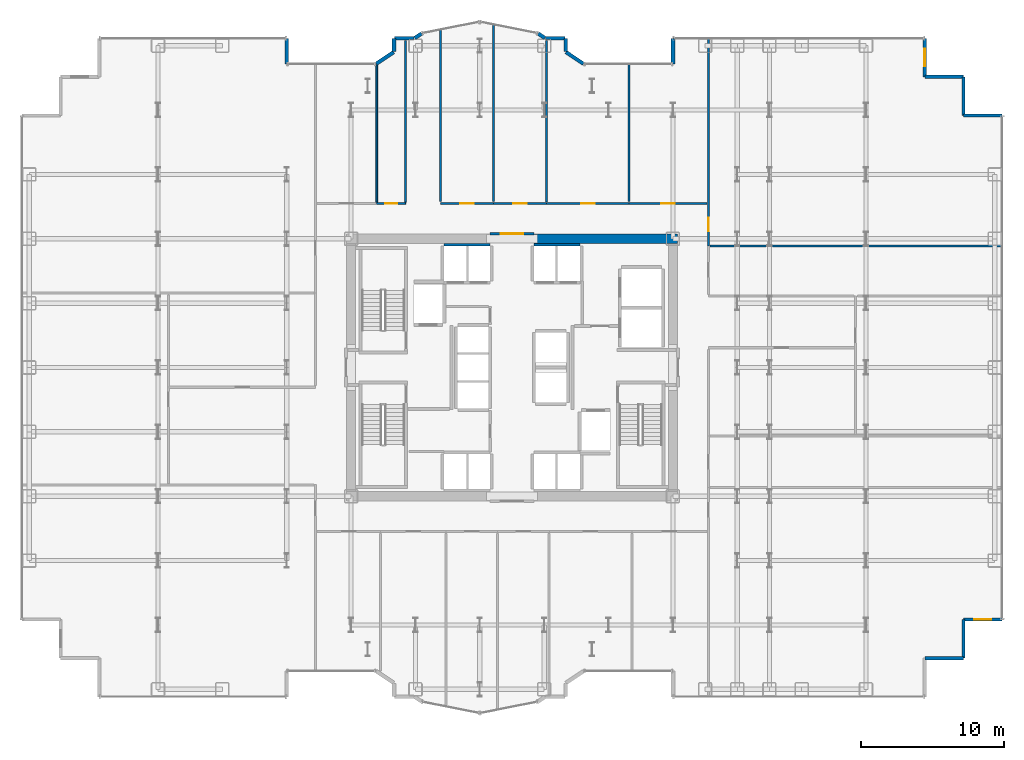
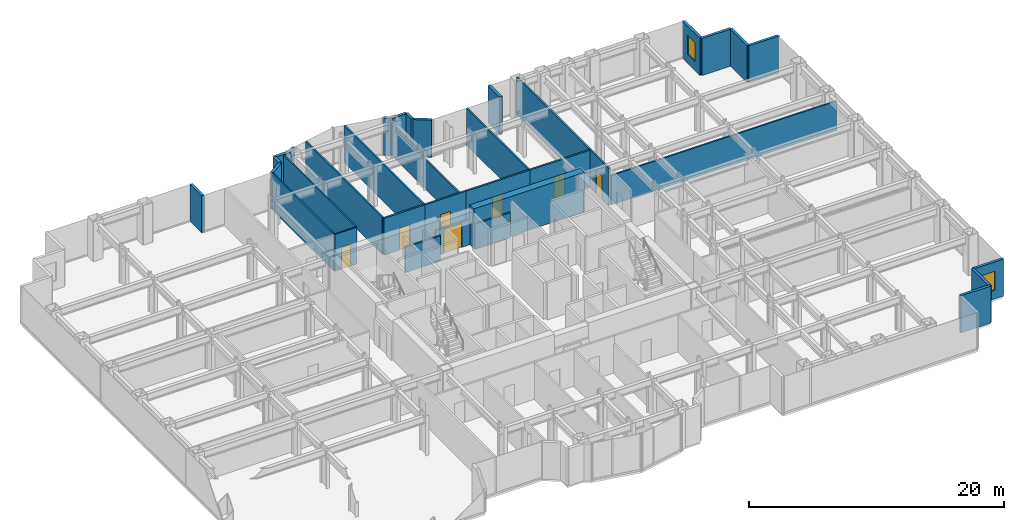
# One storey, part 24 of 26: 34 walls, 7 doors, 2 windows, 9 openings.
"""IFC4 building model written with IfcOpenShell, lengths in metres."""

from ifc_helpers import new_model, si_unit, direction, frame, frame_2d, origin, place, context, subcontext, project, spatial, rectangle, extrude, source, transform, mapped, material, layer, layer_set, type_object, element, fill, save


model = new_model("IFC4")

# Units and contexts
model_context = context("Model", 3, precision=1e-05, world=origin(), true_north=direction((0.0, 1.0)))
body_context = subcontext(model_context, "Body", "Model", "MODEL_VIEW")
ifc_project = project(units=[si_unit("LENGTHUNIT", "METRE"), si_unit("AREAUNIT", "SQUARE_METRE"), si_unit("VOLUMEUNIT", "CUBIC_METRE"), si_unit("PLANEANGLEUNIT", "RADIAN"), si_unit("MASSUNIT", "GRAM", prefix="KILO")], contexts=[model_context])

# Site, building, storey
site_placement = place(None, origin())
site = spatial("IfcSite", under=ifc_project, at=site_placement, CompositionType="ELEMENT")
building_placement = place(site_placement, origin())
building = spatial("IfcBuilding", under=site, at=building_placement, Name="Nefas-Gora Pilgrimage Tower", CompositionType="ELEMENT")
storey_placement = place(building_placement, frame((0.0, 0.0, 36.800048828125)))
storey = spatial("IfcBuildingStorey", under=building, at=storey_placement, Name="L07", CompositionType="ELEMENT", Elevation=36.800048828125)

# Walls
ifc_material_1 = material(Name="Concrete C60/75", Category="concrete")
ifc_layer_1 = layer(ifc_material_1, 0.64990234375)
ifc_layer_set_1 = layer_set([ifc_layer_1], Name="Concrete C60/75")
wall_type_1 = type_object("IfcWallType", Name="SW-CORE-650", PredefinedType="SHEAR", material=ifc_layer_set_1)
shared_shape_1 = source(origin(), body_context, "Body", "SweptSolid", [
    extrude(rectangle(XDim=10.02490234375, YDim=0.64990234375, at=frame_2d((5.012451171875, 0.0))), origin(), (0.0, 0.0, 1.0), 3.800048828125),
])
wall_1_placement = place(storey_placement, frame((1.550048828125, 9.0, 0.0), z_axis=(0.0, 0.0, 1.0), x_axis=(1.0, 0.0, 0.0)))
element("IfcWall", 1, at=wall_1_placement, inside=storey, type_object=wall_type_1, Name="L07 Core Shear Wall N-East", PredefinedType="SHEAR", context=body_context, shape_type="MappedRepresentation", body=[
    mapped(shared_shape_1, transform((0.0, 0.0, 0.0), x_axis=(1.0, 0.0, 0.0), y_axis=(0.0, 1.0, 0.0), z_axis=(0.0, 0.0, 1.0), scale=1.0)),
])
ifc_material_2 = material(Name="Precast concrete C40/50", Category="concrete")
ifc_layer_2 = layer(ifc_material_2, 0.260009765625)
ifc_layer_set_2 = layer_set([ifc_layer_2], Name="Precast concrete C40/50")
wall_type_2 = type_object("IfcWallType", Name="EW-PORTAL-260", PredefinedType="SOLIDWALL", material=ifc_layer_set_2)
shared_shape_2 = source(origin(), body_context, "Body", "SweptSolid", [
    extrude(rectangle(XDim=1.800048828125, YDim=0.260009765625, at=frame_2d((0.89990234375, 0.0))), origin(), (0.0, 0.0, 1.0), 3.550048828125),
])
for number, where, z_axis, x_axis, name in (
    (2, (11.25, 23.02001953125, 0.0), (0.0, 0.0, 1.0), (0.0, -1.0, 0.0), "L07 Lobe Shoulder Precast Spandrel Pier 10"),
    (3, (-15.75, 21.219970703125, 0.0), (0.0, 0.0, 1.0), (0.0, 1.0, 0.0), "L07 Lobe Shoulder Precast Spandrel Pier 19"),
):
    element("IfcWall", number, at=place(storey_placement, frame(where, z_axis=z_axis, x_axis=x_axis)), inside=storey, type_object=wall_type_2, Name=name, PredefinedType="SOLIDWALL", context=body_context, shape_type="MappedRepresentation", body=[
        mapped(shared_shape_2, transform((0.0, 0.0, 0.0), x_axis=(1.0, 0.0, 0.0), y_axis=(0.0, 1.0, 0.0), z_axis=(0.0, 0.0, 1.0), scale=1.0)),
    ])
ifc_material_3 = material(Name="Precast concrete C45/55", Category="concrete")
ifc_layer_3 = layer(ifc_material_3, 0.239990234375)
ifc_layer_set_3 = layer_set([ifc_layer_3], Name="Precast concrete C45/55")
wall_type_3 = type_object("IfcWallType", Name="EW-SERR-240", PredefinedType="SHEAR", material=ifc_layer_set_3)
shared_shape_3 = source(origin(), body_context, "Body", "SweptSolid", [
    extrude(rectangle(XDim=2.699951171875, YDim=0.239990234375, at=frame_2d((1.35009765625, 0.0))), origin(), (0.0, 0.0, 1.0), 3.550048828125),
])
for number, where, z_axis, x_axis, name in (
    (4, (28.8701171875, -20.320068359375, 0.0), (0.0, 0.0, 1.0), (1.0, 0.0, 0.0), "L07 Serrated Corner Shear Pier Wall 3"),
    (5, (31.570068359375, -20.320068359375, 0.0), (0.0, 0.0, 1.0), (0.0, 1.0, 0.0), "L07 Serrated Corner Shear Pier Wall 4"),
):
    element("IfcWall", number, at=place(storey_placement, frame(where, z_axis=z_axis, x_axis=x_axis)), inside=storey, type_object=wall_type_3, Name=name, PredefinedType="SHEAR", context=body_context, shape_type="MappedRepresentation", body=[
        mapped(shared_shape_3, transform((0.0, 0.0, 0.0), x_axis=(1.0, 0.0, 0.0), y_axis=(0.0, 1.0, 0.0), z_axis=(0.0, 0.0, 1.0), scale=1.0)),
    ])

# Wall, opening, window
wall_2_placement = place(storey_placement, frame((31.570068359375, -17.6201171875, 0.0), z_axis=(0.0, 0.0, 1.0), x_axis=(1.0, 0.0, 0.0)))
wall_2 = element("IfcWall", 6, at=wall_2_placement, inside=storey, type_object=wall_type_3, Name="L07 Serrated Corner Shear Pier Wall 5", PredefinedType="SHEAR", context=body_context, shape_type="MappedRepresentation", body=[
    mapped(shared_shape_3, transform((0.0, 0.0, 0.0), x_axis=(1.0, 0.0, 0.0), y_axis=(0.0, 1.0, 0.0), z_axis=(0.0, 0.0, 1.0), scale=1.0)),
])
opening_1_placement = place(wall_2_placement, frame((0.75, 0.0, 0.85009765625)))
opening_1 = element("IfcOpeningElement", 7, at=opening_1_placement, cuts=wall_2, Name="Opening W-V1", PredefinedType="OPENING", context=body_context, shape_type="SweptSolid", body=[
    extrude(rectangle(XDim=1.199951171875, YDim=1.800048828125, at=frame_2d((0.60009765625, 0.89990234375))), frame((0.0, 0.1298828125, 0.0), z_axis=(0.0, -1.0, 0.0), x_axis=(1.0, 0.0, 0.0)), (0.0, 0.0, 1.0), 0.260009765625),
])
ifc_material_4 = material(Name="Dark ceramic-fritted operable aluminium-glass window", Category="aluminium")
window_type = type_object("IfcWindowType", Name="WIN-VENT-1200x1800", PartitioningType="SINGLE_PANEL", PredefinedType="WINDOW", material=ifc_material_4)
shared_shape_4 = source(origin(), body_context, "Body", "SweptSolid", [
    extrude(rectangle(XDim=1.199951171875, YDim=1.800048828125, at=frame_2d((0.60009765625, 0.89990234375))), frame((0.0, 0.030029296875, 0.0), z_axis=(0.0, -1.0, 0.0), x_axis=(1.0, 0.0, 0.0)), (0.0, 0.0, 1.0), 0.06005859375),
])
window_1_placement = place(opening_1_placement, origin())
window_1 = element("IfcWindow", 8, at=window_1_placement, inside=storey, type_object=window_type, Name="L07 Operable Parallel-Outswing Window 5", OverallHeight=1.800048828125, OverallWidth=1.199951171875, PartitioningType="SINGLE_PANEL", PredefinedType="WINDOW", context=body_context, shape_type="MappedRepresentation", body=[
    mapped(shared_shape_4, transform((0.0, 0.0, 0.0), x_axis=(1.0, 0.0, 0.0), y_axis=(0.0, 1.0, 0.0), z_axis=(0.0, 0.0, 1.0), scale=1.0)),
])
fill(opening_1, window_1)

# Walls
for number, where, z_axis, x_axis, name in (
    (9, (34.27001953125, 17.6201171875, 0.0), (0.0, 0.0, 1.0), (-1.0, 0.0, 0.0), "L07 Serrated Corner Shear Pier Wall 6"),
    (10, (31.570068359375, 17.6201171875, 0.0), (0.0, 0.0, 1.0), (0.0, 1.0, 0.0), "L07 Serrated Corner Shear Pier Wall 7"),
    (11, (31.570068359375, 20.320068359375, 0.0), (0.0, 0.0, 1.0), (-1.0, 0.0, 0.0), "L07 Serrated Corner Shear Pier Wall 8"),
):
    element("IfcWall", number, at=place(storey_placement, frame(where, z_axis=z_axis, x_axis=x_axis)), inside=storey, type_object=wall_type_3, Name=name, PredefinedType="SHEAR", context=body_context, shape_type="MappedRepresentation", body=[
        mapped(shared_shape_3, transform((0.0, 0.0, 0.0), x_axis=(1.0, 0.0, 0.0), y_axis=(0.0, 1.0, 0.0), z_axis=(0.0, 0.0, 1.0), scale=1.0)),
    ])

# Wall, opening, window
wall_3_placement = place(storey_placement, frame((28.8701171875, 20.320068359375, 0.0), z_axis=(0.0, 0.0, 1.0), x_axis=(0.0, 1.0, 0.0)))
wall_3 = element("IfcWall", 12, at=wall_3_placement, inside=storey, type_object=wall_type_3, Name="L07 Serrated Corner Shear Pier Wall 9", PredefinedType="SHEAR", context=body_context, shape_type="MappedRepresentation", body=[
    mapped(shared_shape_3, transform((0.0, 0.0, 0.0), x_axis=(1.0, 0.0, 0.0), y_axis=(0.0, 1.0, 0.0), z_axis=(0.0, 0.0, 1.0), scale=1.0)),
])
opening_2_placement = place(wall_3_placement, frame((0.75, 0.0, 0.85009765625)))
opening_2 = element("IfcOpeningElement", 13, at=opening_2_placement, cuts=wall_3, Name="Opening W-V1", PredefinedType="OPENING", context=body_context, shape_type="SweptSolid", body=[
    extrude(rectangle(XDim=1.199951171875, YDim=1.800048828125, at=frame_2d((0.60009765625, 0.89990234375))), frame((0.0, 0.1298828125, 0.0), z_axis=(0.0, -1.0, 0.0), x_axis=(1.0, 0.0, 0.0)), (0.0, 0.0, 1.0), 0.260009765625),
])
window_2_placement = place(opening_2_placement, origin())
window_2 = element("IfcWindow", 14, at=window_2_placement, inside=storey, type_object=window_type, Name="L07 Operable Parallel-Outswing Window 9", OverallHeight=1.800048828125, OverallWidth=1.199951171875, PartitioningType="SINGLE_PANEL", PredefinedType="WINDOW", context=body_context, shape_type="MappedRepresentation", body=[
    mapped(shared_shape_4, transform((0.0, 0.0, 0.0), x_axis=(1.0, 0.0, 0.0), y_axis=(0.0, 1.0, 0.0), z_axis=(0.0, 0.0, 1.0), scale=1.0)),
])
fill(opening_2, window_2)

# Walls
shared_shape_5 = source(origin(), body_context, "Body", "SweptSolid", [
    extrude(rectangle(XDim=1.468994140625, YDim=0.260009765625, at=frame_2d((0.734375, 0.0))), origin(), (0.0, 0.0, 1.0), 3.550048828125),
])
for number, where, z_axis, x_axis, name in (
    (15, (4.99462890625, 21.235595703125, 0.0), (0.0, 0.0, 1.0), (-0.831461760506, 0.555581983884, 0.0), "L07 Lobe Shoulder Precast Spandrel Pier 11"),
    (16, (-8.273193359375, 22.0517578125, 0.0), (0.0, 0.0, 1.0), (-0.831461760506, -0.555581983884, 0.0), "L07 Lobe Shoulder Precast Spandrel Pier 18"),
):
    element("IfcWall", number, at=place(storey_placement, frame(where, z_axis=z_axis, x_axis=x_axis)), inside=storey, type_object=wall_type_2, Name=name, PredefinedType="SOLIDWALL", context=body_context, shape_type="MappedRepresentation", body=[
        mapped(shared_shape_5, transform((0.0, 0.0, 0.0), x_axis=(1.0, 0.0, 0.0), y_axis=(0.0, 1.0, 0.0), z_axis=(0.0, 0.0, 1.0), scale=1.0)),
    ])
shared_shape_6 = source(origin(), body_context, "Body", "SweptSolid", [
    extrude(rectangle(XDim=0.896728515625, YDim=0.260009765625, at=frame_2d((0.4482421875, 0.0))), origin(), (0.0, 0.0, 1.0), 3.550048828125),
])
for number, where, z_axis, x_axis, name in (
    (17, (3.75, 22.09521484375, 0.0), (0.0, 0.0, 1.0), (0.0, 1.0, 0.0), "L07 Lobe Shoulder Precast Spandrel Pier 12"),
    (18, (-8.25, 22.991943359375, 0.0), (0.0, 0.0, 1.0), (0.0, -1.0, 0.0), "L07 Lobe Shoulder Precast Spandrel Pier 17"),
):
    element("IfcWall", number, at=place(storey_placement, frame(where, z_axis=z_axis, x_axis=x_axis)), inside=storey, type_object=wall_type_2, Name=name, PredefinedType="SOLIDWALL", context=body_context, shape_type="MappedRepresentation", body=[
        mapped(shared_shape_6, transform((0.0, 0.0, 0.0), x_axis=(1.0, 0.0, 0.0), y_axis=(0.0, 1.0, 0.0), z_axis=(0.0, 0.0, 1.0), scale=1.0)),
    ])
shared_shape_7 = source(origin(), body_context, "Body", "SweptSolid", [
    extrude(rectangle(XDim=1.369873046875, YDim=0.260009765625, at=frame_2d((0.68505859375, 0.0))), origin(), (0.0, 0.0, 1.0), 3.550048828125),
])
for number, where, z_axis, x_axis, name in (
    (19, (3.721923828125, 23.02001953125, 0.0), (0.0, 0.0, 1.0), (-1.0, 0.0, 0.0), "L07 Lobe Shoulder Precast Spandrel Pier 13"),
    (20, (-6.85205078125, 23.02001953125, 0.0), (0.0, 0.0, 1.0), (-1.0, 0.0, 0.0), "L07 Lobe Shoulder Precast Spandrel Pier 16"),
):
    element("IfcWall", number, at=place(storey_placement, frame(where, z_axis=z_axis, x_axis=x_axis)), inside=storey, type_object=wall_type_2, Name=name, PredefinedType="SOLIDWALL", context=body_context, shape_type="MappedRepresentation", body=[
        mapped(shared_shape_7, transform((0.0, 0.0, 0.0), x_axis=(1.0, 0.0, 0.0), y_axis=(0.0, 1.0, 0.0), z_axis=(0.0, 0.0, 1.0), scale=1.0)),
    ])
shared_shape_8 = source(origin(), body_context, "Body", "SweptSolid", [
    extrude(rectangle(XDim=0.5654296875, YDim=0.260009765625, at=frame_2d((0.28271484375, 0.0))), origin(), (0.0, 0.0, 1.0), 3.550048828125),
])
for number, where, z_axis, x_axis, name in (
    (21, (2.30078125, 23.03564453125, 0.0), (0.0, 0.0, 1.0), (-0.831651492666, 0.555297933317, 0.0), "L07 Lobe Shoulder Precast Spandrel Pier 14"),
    (22, (-6.33056640625, 23.349609375, 0.0), (0.0, 0.0, 1.0), (-0.831651492666, -0.555297933317, 0.0), "L07 Lobe Shoulder Precast Spandrel Pier 15"),
):
    element("IfcWall", number, at=place(storey_placement, frame(where, z_axis=z_axis, x_axis=x_axis)), inside=storey, type_object=wall_type_2, Name=name, PredefinedType="SOLIDWALL", context=body_context, shape_type="MappedRepresentation", body=[
        mapped(shared_shape_8, transform((0.0, 0.0, 0.0), x_axis=(1.0, 0.0, 0.0), y_axis=(0.0, 1.0, 0.0), z_axis=(0.0, 0.0, 1.0), scale=1.0)),
    ])
ifc_material_5 = material(Name="Gypsum acoustic stud partition")
ifc_layer_4 = layer(ifc_material_5, 0.159912109375)
ifc_layer_set_4 = layer_set([ifc_layer_4], Name="Gypsum acoustic stud partition")
wall_type_4 = type_object("IfcWallType", Name="IW-CORR-160", PredefinedType="PARTITIONING", material=ifc_layer_set_4)
shared_shape_9 = source(origin(), body_context, "Body", "SweptSolid", [
    extrude(rectangle(XDim=3.199951171875, YDim=0.159912109375, at=frame_2d((1.60009765625, 0.0))), origin(), (0.0, 0.0, 1.0), 2.425048828125),
])
for number, where, z_axis, x_axis, name in (
    (23, (-1.550048828125, 8.580078125, 0.0), (0.0, 0.0, 1.0), (-1.0, 0.0, 0.0), "L07 Hoistway Wall PL1-W-N"),
    (24, (4.75, 8.580078125, 0.0), (0.0, 0.0, 1.0), (-1.0, 0.0, 0.0), "L07 Hoistway Wall PL1-E-N"),
):
    element("IfcWall", number, at=place(storey_placement, frame(where, z_axis=z_axis, x_axis=x_axis)), inside=storey, type_object=wall_type_4, Name=name, PredefinedType="PARTITIONING", context=body_context, shape_type="MappedRepresentation", body=[
        mapped(shared_shape_9, transform((0.0, 0.0, 0.0), x_axis=(1.0, 0.0, 0.0), y_axis=(0.0, 1.0, 0.0), z_axis=(0.0, 0.0, 1.0), scale=1.0)),
    ])

# Wall, opening, door
shared_shape_10 = source(origin(), body_context, "Body", "SweptSolid", [
    extrude(rectangle(XDim=3.08984375, YDim=0.159912109375, at=frame_2d((1.544921875, 0.0))), origin(), (0.0, 0.0, 1.0), 2.425048828125),
])
wall_4_placement = place(storey_placement, frame((-1.544921875, 9.35009765625, 0.0), z_axis=(0.0, 0.0, 1.0), x_axis=(1.0, 0.0, 0.0)))
wall_4 = element("IfcWall", 25, at=wall_4_placement, inside=storey, type_object=wall_type_4, Name="L07 Central Lift Lobby North Portal Wall 13", PredefinedType="PARTITIONING", context=body_context, shape_type="MappedRepresentation", body=[
    mapped(shared_shape_10, transform((0.0, 0.0, 0.0), x_axis=(1.0, 0.0, 0.0), y_axis=(0.0, 1.0, 0.0), z_axis=(0.0, 0.0, 1.0), scale=1.0)),
])
opening_3_placement = place(wall_4_placement, frame((0.7451171875, 0.0, 0.0)))
opening_3 = element("IfcOpeningElement", 26, at=opening_3_placement, cuts=wall_4, Name="Opening ID-HL1", PredefinedType="OPENING", context=body_context, shape_type="SweptSolid", body=[
    extrude(rectangle(XDim=1.60009765625, YDim=2.300048828125, at=frame_2d((0.800048828125, 1.14990234375))), frame((0.0, 0.08984375, 0.0), z_axis=(0.0, -1.0, 0.0), x_axis=(1.0, 0.0, 0.0)), (0.0, 0.0, 1.0), 0.179931640625),
])
ifc_material_6 = material(Name="Double acoustic timber assembly hall door", Category="wood")
door_type_1 = type_object("IfcDoorType", Name="DR-INT-HALL-1600", OperationType="DOUBLE_DOOR_SINGLE_SWING", PredefinedType="DOOR", material=ifc_material_6)
shared_shape_11 = source(origin(), body_context, "Body", "SweptSolid", [
    extrude(rectangle(XDim=1.60009765625, YDim=2.300048828125, at=frame_2d((0.800048828125, 1.14990234375))), frame((0.0, 0.02490234375, 0.0), z_axis=(0.0, -1.0, 0.0), x_axis=(1.0, 0.0, 0.0)), (0.0, 0.0, 1.0), 0.050048828125),
])
door_1_placement = place(opening_3_placement, origin())
door_1 = element("IfcDoor", 27, at=door_1_placement, inside=storey, type_object=door_type_1, Name="L07 Central Lift Lobby North Portal Door 4", OperationType="DOUBLE_DOOR_SINGLE_SWING", OverallHeight=2.300048828125, OverallWidth=1.60009765625, PredefinedType="DOOR", context=body_context, shape_type="MappedRepresentation", body=[
    mapped(shared_shape_11, transform((0.0, 0.0, 0.0), x_axis=(1.0, 0.0, 0.0), y_axis=(0.0, 1.0, 0.0), z_axis=(0.0, 0.0, 1.0), scale=1.0)),
])
fill(opening_3, door_1)

ifc_material_7 = material(Name="Moisture-resistant fire-rated gypsum partition")
ifc_layer_5 = layer(ifc_material_7, 0.1201171875)
ifc_layer_set_5 = layer_set([ifc_layer_5], Name="Moisture-resistant fire-rated gypsum partition")
wall_type_5 = type_object("IfcWallType", Name="IW-WET-120", PredefinedType="PLUMBINGWALL", material=ifc_layer_set_5)
shared_shape_12 = source(origin(), body_context, "Body", "SweptSolid", [
    extrude(rectangle(XDim=2.02001953125, YDim=0.1201171875, at=frame_2d((1.010009765625, 0.0))), origin(), (0.0, 0.0, 1.0), 3.534912109375),
])
wall_5_placement = place(storey_placement, frame((-9.4599609375, 11.469970703125, 0.0), z_axis=(0.0, 0.0, 1.0), x_axis=(1.0, 0.0, 0.0)))
wall_5 = element("IfcWall", 28, at=wall_5_placement, inside=storey, type_object=wall_type_5, Name="L07 Accessible Unisex WC Partition Wall 20", PredefinedType="PLUMBINGWALL", context=body_context, shape_type="MappedRepresentation", body=[
    mapped(shared_shape_12, transform((0.0, 0.0, 0.0), x_axis=(1.0, 0.0, 0.0), y_axis=(0.0, 1.0, 0.0), z_axis=(0.0, 0.0, 1.0), scale=1.0)),
])
opening_4_placement = place(wall_5_placement, frame((0.5849609375, 0.0, 0.0)))
opening_4 = element("IfcOpeningElement", 29, at=opening_4_placement, cuts=wall_5, Name="Opening ID-BT1", PredefinedType="OPENING", context=body_context, shape_type="SweptSolid", body=[
    extrude(rectangle(XDim=0.85009765625, YDim=2.10009765625, at=frame_2d((0.425048828125, 1.050048828125))), frame((0.0, 0.070068359375, 0.0), z_axis=(0.0, -1.0, 0.0), x_axis=(1.0, 0.0, 0.0)), (0.0, 0.0, 1.0), 0.14013671875),
])
ifc_material_8 = material(Name="Moisture-resistant fire-rated timber door", Category="wood")
door_type_2 = type_object("IfcDoorType", Name="DR-INT-BATH-850", OperationType="NOTDEFINED", PredefinedType="DOOR", material=ifc_material_8)
shared_shape_13 = source(origin(), body_context, "Body", "SweptSolid", [
    extrude(rectangle(XDim=0.85009765625, YDim=2.10009765625, at=frame_2d((0.425048828125, 1.050048828125))), frame((0.0, 0.02490234375, 0.0), z_axis=(0.0, -1.0, 0.0), x_axis=(1.0, 0.0, 0.0)), (0.0, 0.0, 1.0), 0.050048828125),
])
door_2_placement = place(opening_4_placement, origin())
door_2 = element("IfcDoor", 30, at=door_2_placement, inside=storey, type_object=door_type_2, Name="L07 Accessible Unisex WC Door 8", OperationType="SINGLE_SWING_LEFT", OverallHeight=2.10009765625, OverallWidth=0.85009765625, PredefinedType="DOOR", context=body_context, shape_type="MappedRepresentation", body=[
    mapped(shared_shape_13, transform((0.0, 0.0, 0.0), x_axis=(1.0, 0.0, 0.0), y_axis=(0.0, 1.0, 0.0), z_axis=(0.0, 0.0, 1.0), scale=1.0)),
])
fill(opening_4, door_2)

# Walls
shared_shape_14 = source(origin(), body_context, "Body", "SweptSolid", [
    extrude(rectangle(XDim=11.280029296875, YDim=0.1201171875, at=frame_2d((5.64013671875, 0.0))), origin(), (0.0, 0.0, 1.0), 3.534912109375),
])
wall_6_placement = place(storey_placement, frame((-7.449951171875, 11.570068359375, 0.0), z_axis=(0.0, 0.0, 1.0), x_axis=(0.0, 1.0, 0.0)))
element("IfcWall", 31, at=wall_6_placement, inside=storey, type_object=wall_type_5, Name="L07 Accessible Unisex WC Partition Wall 21", PredefinedType="PLUMBINGWALL", context=body_context, shape_type="MappedRepresentation", body=[
    mapped(shared_shape_14, transform((0.0, 0.0, 0.0), x_axis=(1.0, 0.0, 0.0), y_axis=(0.0, 1.0, 0.0), z_axis=(0.0, 0.0, 1.0), scale=1.0)),
])
shared_shape_15 = source(origin(), body_context, "Body", "SweptSolid", [
    extrude(rectangle(XDim=9.586669921875, YDim=0.1201171875, at=frame_2d((4.79345703125, 0.0))), origin(), (0.0, 0.0, 1.0), 3.534912109375),
])
wall_7_placement = place(storey_placement, frame((-9.449951171875, 11.570068359375, 0.0), z_axis=(0.0, 0.0, 1.0), x_axis=(0.0, 1.0, 0.0)))
element("IfcWall", 32, at=wall_7_placement, inside=storey, type_object=wall_type_5, Name="L07 Accessible Unisex WC Partition Wall 22", PredefinedType="PLUMBINGWALL", context=body_context, shape_type="MappedRepresentation", body=[
    mapped(shared_shape_15, transform((0.0, 0.0, 0.0), x_axis=(1.0, 0.0, 0.0), y_axis=(0.0, 1.0, 0.0), z_axis=(0.0, 0.0, 1.0), scale=1.0)),
])

# Wall, opening, door
shared_shape_16 = source(origin(), body_context, "Body", "SweptSolid", [
    extrude(rectangle(XDim=14.544921875, YDim=0.159912109375, at=frame_2d((7.2724609375, 0.0))), origin(), (0.0, 0.0, 1.0), 3.534912109375),
])
wall_8_placement = place(storey_placement, frame((13.739990234375, 8.4951171875, 0.0), z_axis=(0.0, 0.0, 1.0), x_axis=(0.0, 1.0, 0.0)))
wall_8 = element("IfcWall", 33, at=wall_8_placement, inside=storey, type_object=wall_type_4, Name="L07 Pilgrim Contemplative Lounge Partition Wall 41", PredefinedType="PARTITIONING", context=body_context, shape_type="MappedRepresentation", body=[
    mapped(shared_shape_16, transform((0.0, 0.0, 0.0), x_axis=(1.0, 0.0, 0.0), y_axis=(0.0, 1.0, 0.0), z_axis=(0.0, 0.0, 1.0), scale=1.0)),
])
opening_5_placement = place(wall_8_placement, frame((1.032470703125, 0.0, 0.0)))
opening_5 = element("IfcOpeningElement", 34, at=opening_5_placement, cuts=wall_8, Name="Opening ID-GR1", PredefinedType="OPENING", context=body_context, shape_type="SweptSolid", body=[
    extrude(rectangle(XDim=0.949951171875, YDim=2.10009765625, at=frame_2d((0.47509765625, 1.050048828125))), frame((0.0, 0.08984375, 0.0), z_axis=(0.0, -1.0, 0.0), x_axis=(1.0, 0.0, 0.0)), (0.0, 0.0, 1.0), 0.179931640625),
])
ifc_material_9 = material(Name="Solid core oak fire-rated guest entrance door")
door_type_3 = type_object("IfcDoorType", Name="DR-INT-GUEST-950", OperationType="NOTDEFINED", PredefinedType="DOOR", material=ifc_material_9)
shared_shape_17 = source(origin(), body_context, "Body", "SweptSolid", [
    extrude(rectangle(XDim=0.949951171875, YDim=2.10009765625, at=frame_2d((0.47509765625, 1.050048828125))), frame((0.0, 0.02490234375, 0.0), z_axis=(0.0, -1.0, 0.0), x_axis=(1.0, 0.0, 0.0)), (0.0, 0.0, 1.0), 0.050048828125),
])
door_3_placement = place(opening_5_placement, origin())
door_3 = element("IfcDoor", 35, at=door_3_placement, inside=storey, type_object=door_type_3, Name="L07 Pilgrim Contemplative Lounge Door 18", OperationType="SINGLE_SWING_LEFT", OverallHeight=2.10009765625, OverallWidth=0.949951171875, PredefinedType="DOOR", context=body_context, shape_type="MappedRepresentation", body=[
    mapped(shared_shape_17, transform((0.0, 0.0, 0.0), x_axis=(1.0, 0.0, 0.0), y_axis=(0.0, 1.0, 0.0), z_axis=(0.0, 0.0, 1.0), scale=1.0)),
])
fill(opening_5, door_3)

shared_shape_18 = source(origin(), body_context, "Body", "SweptSolid", [
    extrude(rectangle(XDim=3.704833984375, YDim=0.159912109375, at=frame_2d((1.8525390625, 0.0))), origin(), (0.0, 0.0, 1.0), 3.534912109375),
])
wall_9_placement = place(storey_placement, frame((-5.0048828125, 11.469970703125, 0.0), z_axis=(0.0, 0.0, 1.0), x_axis=(1.0, 0.0, 0.0)))
wall_9 = element("IfcWall", 36, at=wall_9_placement, inside=storey, type_object=wall_type_4, Name="L07 Pilgrim Contemplative Lounge Partition Wall 43", PredefinedType="PARTITIONING", context=body_context, shape_type="MappedRepresentation", body=[
    mapped(shared_shape_18, transform((0.0, 0.0, 0.0), x_axis=(1.0, 0.0, 0.0), y_axis=(0.0, 1.0, 0.0), z_axis=(0.0, 0.0, 1.0), scale=1.0)),
])
opening_6_placement = place(wall_9_placement, frame((1.37744140625, 0.0, 0.0)))
opening_6 = element("IfcOpeningElement", 37, at=opening_6_placement, cuts=wall_9, Name="Opening ID-GR1", PredefinedType="OPENING", context=body_context, shape_type="SweptSolid", body=[
    extrude(rectangle(XDim=0.949951171875, YDim=2.10009765625, at=frame_2d((0.47509765625, 1.050048828125))), frame((0.0, 0.08984375, 0.0), z_axis=(0.0, -1.0, 0.0), x_axis=(1.0, 0.0, 0.0)), (0.0, 0.0, 1.0), 0.179931640625),
])
door_4_placement = place(opening_6_placement, origin())
door_4 = element("IfcDoor", 38, at=door_4_placement, inside=storey, type_object=door_type_3, Name="L07 Pilgrim Contemplative Lounge Door 20", OperationType="SINGLE_SWING_LEFT", OverallHeight=2.10009765625, OverallWidth=0.949951171875, PredefinedType="DOOR", context=body_context, shape_type="MappedRepresentation", body=[
    mapped(shared_shape_17, transform((0.0, 0.0, 0.0), x_axis=(1.0, 0.0, 0.0), y_axis=(0.0, 1.0, 0.0), z_axis=(0.0, 0.0, 1.0), scale=1.0)),
])
fill(opening_6, door_4)

# Walls
ifc_material_10 = material(Name="Gypsum twin-stud partition")
ifc_layer_6 = layer(ifc_material_10, 0.139892578125)
ifc_layer_set_6 = layer_set([ifc_layer_6], Name="Gypsum twin-stud partition")
wall_type_6 = type_object("IfcWallType", Name="IW-UNIT-140", PredefinedType="PARTITIONING", material=ifc_layer_set_6)
shared_shape_19 = source(origin(), body_context, "Body", "SweptSolid", [
    extrude(rectangle(XDim=12.415771484375, YDim=0.139892578125, at=frame_2d((6.2080078125, 0.0))), origin(), (0.0, 0.0, 1.0), 3.534912109375),
])
wall_10_placement = place(storey_placement, frame((-1.31005859375, 11.590087890625, 0.0), z_axis=(0.0, 0.0, 1.0), x_axis=(0.0, 1.0, 0.0)))
element("IfcWall", 39, at=wall_10_placement, inside=storey, type_object=wall_type_6, Name="L07 Pilgrim Contemplative Lounge Partition Wall 44", PredefinedType="PARTITIONING", context=body_context, shape_type="MappedRepresentation", body=[
    mapped(shared_shape_19, transform((0.0, 0.0, 0.0), x_axis=(1.0, 0.0, 0.0), y_axis=(0.0, 1.0, 0.0), z_axis=(0.0, 0.0, 1.0), scale=1.0)),
])
shared_shape_20 = source(origin(), body_context, "Body", "SweptSolid", [
    extrude(rectangle(XDim=12.056640625, YDim=0.139892578125, at=frame_2d((6.0283203125, 0.0))), origin(), (0.0, 0.0, 1.0), 3.534912109375),
])
wall_11_placement = place(storey_placement, frame((-4.9951171875, 11.590087890625, 0.0), z_axis=(0.0, 0.0, 1.0), x_axis=(0.0, 1.0, 0.0)))
element("IfcWall", 40, at=wall_11_placement, inside=storey, type_object=wall_type_6, Name="L07 Pilgrim Contemplative Lounge Partition Wall 45", PredefinedType="PARTITIONING", context=body_context, shape_type="MappedRepresentation", body=[
    mapped(shared_shape_20, transform((0.0, 0.0, 0.0), x_axis=(1.0, 0.0, 0.0), y_axis=(0.0, 1.0, 0.0), z_axis=(0.0, 0.0, 1.0), scale=1.0)),
])

# Wall, opening, door
shared_shape_21 = source(origin(), body_context, "Body", "SweptSolid", [
    extrude(rectangle(XDim=3.705078125, YDim=0.159912109375, at=frame_2d((1.8525390625, 0.0))), origin(), (0.0, 0.0, 1.0), 3.534912109375),
])
wall_12_placement = place(storey_placement, frame((-1.300048828125, 11.469970703125, 0.0), z_axis=(0.0, 0.0, 1.0), x_axis=(1.0, 0.0, 0.0)))
wall_12 = element("IfcWall", 41, at=wall_12_placement, inside=storey, type_object=wall_type_4, Name="L07 Pilgrim Contemplative Lounge Partition Wall 46", PredefinedType="PARTITIONING", context=body_context, shape_type="MappedRepresentation", body=[
    mapped(shared_shape_21, transform((0.0, 0.0, 0.0), x_axis=(1.0, 0.0, 0.0), y_axis=(0.0, 1.0, 0.0), z_axis=(0.0, 0.0, 1.0), scale=1.0)),
])
opening_7_placement = place(wall_12_placement, frame((1.37744140625, 0.0, 0.0)))
opening_7 = element("IfcOpeningElement", 42, at=opening_7_placement, cuts=wall_12, Name="Opening ID-GR1", PredefinedType="OPENING", context=body_context, shape_type="SweptSolid", body=[
    extrude(rectangle(XDim=0.949951171875, YDim=2.10009765625, at=frame_2d((0.47509765625, 1.050048828125))), frame((0.0, 0.08984375, 0.0), z_axis=(0.0, -1.0, 0.0), x_axis=(1.0, 0.0, 0.0)), (0.0, 0.0, 1.0), 0.179931640625),
])
door_5_placement = place(opening_7_placement, origin())
door_5 = element("IfcDoor", 43, at=door_5_placement, inside=storey, type_object=door_type_3, Name="L07 Pilgrim Contemplative Lounge Door 21", OperationType="SINGLE_SWING_RIGHT", OverallHeight=2.10009765625, OverallWidth=0.949951171875, PredefinedType="DOOR", context=body_context, shape_type="MappedRepresentation", body=[
    mapped(shared_shape_17, transform((0.0, 0.0, 0.0), x_axis=(1.0, 0.0, 0.0), y_axis=(0.0, 1.0, 0.0), z_axis=(0.0, 0.0, 1.0), scale=1.0)),
])
fill(opening_7, door_5)

# Wall
shared_shape_22 = source(origin(), body_context, "Body", "SweptSolid", [
    extrude(rectangle(XDim=11.260009765625, YDim=0.139892578125, at=frame_2d((5.6298828125, 0.0))), origin(), (0.0, 0.0, 1.0), 2.824951171875),
])
wall_13_placement = place(storey_placement, frame((2.39501953125, 11.590087890625, 0.0), z_axis=(0.0, 0.0, 1.0), x_axis=(0.0, 1.0, 0.0)))
element("IfcWall", 44, at=wall_13_placement, inside=storey, type_object=wall_type_6, Name="L07 Pilgrim Contemplative Lounge Partition Wall 47", PredefinedType="PARTITIONING", context=body_context, shape_type="MappedRepresentation", body=[
    mapped(shared_shape_22, transform((0.0, 0.0, 0.0), x_axis=(1.0, 0.0, 0.0), y_axis=(0.0, 1.0, 0.0), z_axis=(0.0, 0.0, 1.0), scale=1.0)),
])

# Wall, opening, door
shared_shape_23 = source(origin(), body_context, "Body", "SweptSolid", [
    extrude(rectangle(XDim=5.81005859375, YDim=0.159912109375, at=frame_2d((2.905029296875, 0.0))), origin(), (0.0, 0.0, 1.0), 3.534912109375),
])
wall_14_placement = place(storey_placement, frame((2.39501953125, 11.469970703125, 0.0), z_axis=(0.0, 0.0, 1.0), x_axis=(1.0, 0.0, 0.0)))
wall_14 = element("IfcWall", 45, at=wall_14_placement, inside=storey, type_object=wall_type_4, Name="L07 Pilgrim Contemplative Lounge Partition Wall 48", PredefinedType="PARTITIONING", context=body_context, shape_type="MappedRepresentation", body=[
    mapped(shared_shape_23, transform((0.0, 0.0, 0.0), x_axis=(1.0, 0.0, 0.0), y_axis=(0.0, 1.0, 0.0), z_axis=(0.0, 0.0, 1.0), scale=1.0)),
])
opening_8_placement = place(wall_14_placement, frame((2.429931640625, 0.0, 0.0)))
opening_8 = element("IfcOpeningElement", 46, at=opening_8_placement, cuts=wall_14, Name="Opening ID-GR1", PredefinedType="OPENING", context=body_context, shape_type="SweptSolid", body=[
    extrude(rectangle(XDim=0.949951171875, YDim=2.10009765625, at=frame_2d((0.47509765625, 1.050048828125))), frame((0.0, 0.08984375, 0.0), z_axis=(0.0, -1.0, 0.0), x_axis=(1.0, 0.0, 0.0)), (0.0, 0.0, 1.0), 0.179931640625),
])
door_6_placement = place(opening_8_placement, origin())
door_6 = element("IfcDoor", 47, at=door_6_placement, inside=storey, type_object=door_type_3, Name="L07 Pilgrim Contemplative Lounge Door 22", OperationType="SINGLE_SWING_LEFT", OverallHeight=2.10009765625, OverallWidth=0.949951171875, PredefinedType="DOOR", context=body_context, shape_type="MappedRepresentation", body=[
    mapped(shared_shape_17, transform((0.0, 0.0, 0.0), x_axis=(1.0, 0.0, 0.0), y_axis=(0.0, 1.0, 0.0), z_axis=(0.0, 0.0, 1.0), scale=1.0)),
])
fill(opening_8, door_6)

# Wall
shared_shape_24 = source(origin(), body_context, "Body", "SweptSolid", [
    extrude(rectangle(XDim=9.64990234375, YDim=0.139892578125, at=frame_2d((4.824951171875, 0.0))), origin(), (0.0, 0.0, 1.0), 3.534912109375),
])
wall_15_placement = place(storey_placement, frame((8.195068359375, 11.590087890625, 0.0), z_axis=(0.0, 0.0, 1.0), x_axis=(0.0, 1.0, 0.0)))
element("IfcWall", 48, at=wall_15_placement, inside=storey, type_object=wall_type_6, Name="L07 Pilgrim Contemplative Lounge Partition Wall 49", PredefinedType="PARTITIONING", context=body_context, shape_type="MappedRepresentation", body=[
    mapped(shared_shape_24, transform((0.0, 0.0, 0.0), x_axis=(1.0, 0.0, 0.0), y_axis=(0.0, 1.0, 0.0), z_axis=(0.0, 0.0, 1.0), scale=1.0)),
])

# Wall, opening, door
shared_shape_25 = source(origin(), body_context, "Body", "SweptSolid", [
    extrude(rectangle(XDim=5.425048828125, YDim=0.159912109375, at=frame_2d((2.71240234375, 0.0))), origin(), (0.0, 0.0, 1.0), 3.534912109375),
])
wall_16_placement = place(storey_placement, frame((8.195068359375, 11.469970703125, 0.0), z_axis=(0.0, 0.0, 1.0), x_axis=(1.0, 0.0, 0.0)))
wall_16 = element("IfcWall", 49, at=wall_16_placement, inside=storey, type_object=wall_type_4, Name="L07 Pilgrim Contemplative Lounge Partition Wall 50", PredefinedType="PARTITIONING", context=body_context, shape_type="MappedRepresentation", body=[
    mapped(shared_shape_25, transform((0.0, 0.0, 0.0), x_axis=(1.0, 0.0, 0.0), y_axis=(0.0, 1.0, 0.0), z_axis=(0.0, 0.0, 1.0), scale=1.0)),
])
opening_9_placement = place(wall_16_placement, frame((2.237548828125, 0.0, 0.0)))
opening_9 = element("IfcOpeningElement", 50, at=opening_9_placement, cuts=wall_16, Name="Opening ID-GR1", PredefinedType="OPENING", context=body_context, shape_type="SweptSolid", body=[
    extrude(rectangle(XDim=0.949951171875, YDim=2.10009765625, at=frame_2d((0.47509765625, 1.050048828125))), frame((0.0, 0.08984375, 0.0), z_axis=(0.0, -1.0, 0.0), x_axis=(1.0, 0.0, 0.0)), (0.0, 0.0, 1.0), 0.179931640625),
])
door_7_placement = place(opening_9_placement, origin())
door_7 = element("IfcDoor", 51, at=door_7_placement, inside=storey, type_object=door_type_3, Name="L07 Pilgrim Contemplative Lounge Door 23", OperationType="SINGLE_SWING_RIGHT", OverallHeight=2.10009765625, OverallWidth=0.949951171875, PredefinedType="DOOR", context=body_context, shape_type="MappedRepresentation", body=[
    mapped(shared_shape_17, transform((0.0, 0.0, 0.0), x_axis=(1.0, 0.0, 0.0), y_axis=(0.0, 1.0, 0.0), z_axis=(0.0, 0.0, 1.0), scale=1.0)),
])
fill(opening_9, door_7)

# Wall
shared_shape_26 = source(origin(), body_context, "Body", "SweptSolid", [
    extrude(rectangle(XDim=20.429931640625, YDim=0.139892578125, at=frame_2d((10.21484375, 0.0))), origin(), (0.0, 0.0, 1.0), 2.824951171875),
])
wall_17_placement = place(storey_placement, frame((13.860107421875, 8.4951171875, 0.0), z_axis=(0.0, 0.0, 1.0), x_axis=(1.0, 0.0, 0.0)))
element("IfcWall", 52, at=wall_17_placement, inside=storey, type_object=wall_type_6, Name="L07 Pilgrim Contemplative Lounge Partition Wall 40", PredefinedType="PARTITIONING", context=body_context, shape_type="MappedRepresentation", body=[
    mapped(shared_shape_26, transform((0.0, 0.0, 0.0), x_axis=(1.0, 0.0, 0.0), y_axis=(0.0, 1.0, 0.0), z_axis=(0.0, 0.0, 1.0), scale=1.0)),
])

save(model, "model.ifc")
